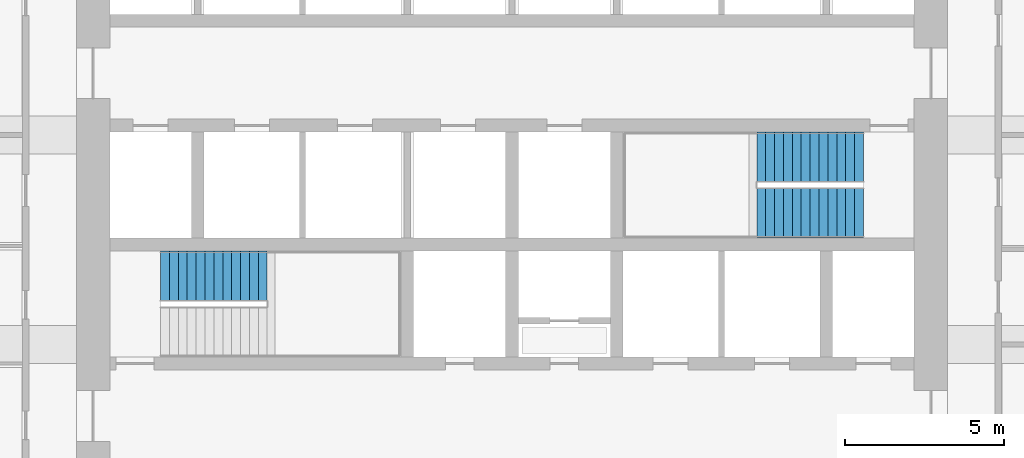
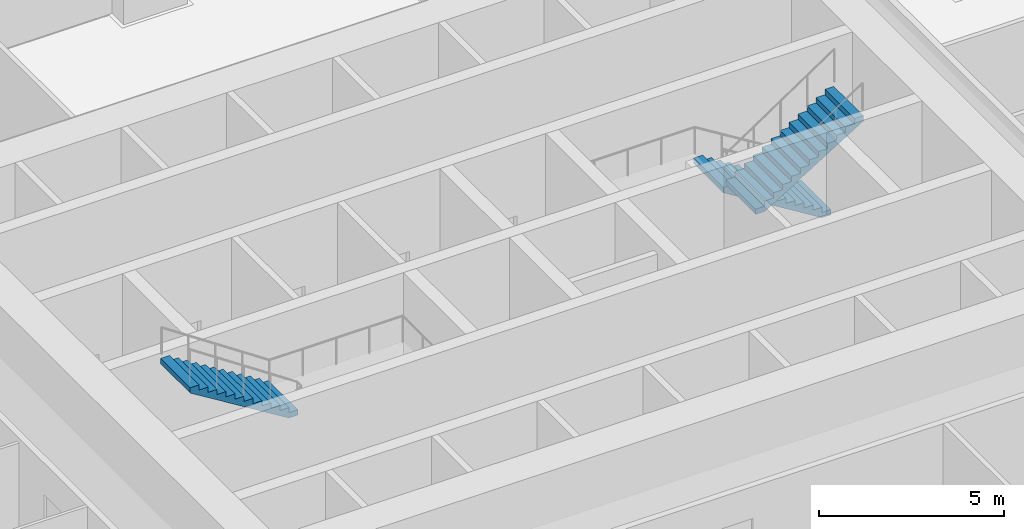
# One storey, part 14 of 17: 3 stair flights, 2 elements without a shape of their own.
"""IFC4 building model written with IfcOpenShell, lengths in metres."""

from ifc_helpers import new_model, si_unit, direction, frame, origin, place, context, subcontext, project, spatial, polyline, outline, extrude, material, type_object, element, aggregate, save


model = new_model("IFC4")

# Units and contexts
model_context = context("Model", 3, precision=1e-05, world=origin(), true_north=direction((0.0, 1.0)))
body_context = subcontext(model_context, "Body", "Model", "MODEL_VIEW")
ifc_project = project(units=[si_unit("LENGTHUNIT", "METRE"), si_unit("AREAUNIT", "SQUARE_METRE"), si_unit("VOLUMEUNIT", "CUBIC_METRE"), si_unit("PLANEANGLEUNIT", "RADIAN"), si_unit("MASSUNIT", "GRAM", prefix="KILO")], contexts=[model_context])

# Site, building, storey
site_placement = place(None, origin())
site = spatial("IfcSite", under=ifc_project, at=site_placement, CompositionType="ELEMENT")
building_placement = place(site_placement, origin())
building = spatial("IfcBuilding", under=site, at=building_placement, Name="Cobogo Forest Laboratory Tower", CompositionType="ELEMENT")
storey_placement = place(building_placement, frame((0.0, 0.0, 12.60009765625)))
storey = spatial("IfcBuildingStorey", under=building, at=storey_placement, Name="L02", CompositionType="ELEMENT", Elevation=12.60009765625)

# Stair, stair flight
ifc_material = material(Name="Precast concrete HA-40 (C40/50)", Category="concrete")
stair_type = type_object("IfcStairType", Name="ST26 exit stair 26 risers", PredefinedType="HALF_TURN_STAIR", material=ifc_material)
stair_1_placement = place(storey_placement, origin())
stair_1 = element("IfcStair", 1, at=stair_1_placement, inside=storey, type_object=stair_type, Name="Stair 1 L02 to L03", PredefinedType="HALF_TURN_STAIR")
stair_flight_type = type_object("IfcStairFlightType", Name="ST stair flight 280 going", PredefinedType="STRAIGHT", material=ifc_material)
stair_flight_1_placement = place(storey_placement, frame((18.68505859375, 21.949951171875, 2.25), z_axis=(0.0, 0.0, 1.0), x_axis=(-1.0, 0.0, 0.0)))
stair_flight_1 = element("IfcStairFlight", 2, at=stair_flight_1_placement, type_object=stair_flight_type, Name="ST1 flight 2", NumberOfRisers=13, NumberOfTreads=12, PredefinedType="STRAIGHT", RiserHeight=0.173076923, TreadLength=0.28, context=body_context, shape_type="SweptSolid", body=[
    extrude(outline(polyline([(0.0, 0.0), (0.0, 0.173095703125), (0.280029296875, 0.173095703125), (0.280029296875, 0.34619140625), (0.56005859375, 0.34619140625), (0.56005859375, 0.519287109375), (0.840087890625, 0.519287109375), (0.840087890625, 0.6923828125), (1.1201171875, 0.6923828125), (1.1201171875, 0.865478515625), (1.39990234375, 0.865478515625), (1.39990234375, 1.03857421875), (1.679931640625, 1.03857421875), (1.679931640625, 1.21142578125), (1.9599609375, 1.21142578125), (1.9599609375, 1.384521484375), (2.239990234375, 1.384521484375), (2.239990234375, 1.5576171875), (2.52001953125, 1.5576171875), (2.52001953125, 1.730712890625), (2.800048828125, 1.730712890625), (2.800048828125, 1.90380859375), (3.080078125, 1.90380859375), (3.080078125, 2.076904296875), (3.360107421875, 2.076904296875), (3.360107421875, 2.25), (3.360107421875, 1.900634765625), (0.28515625, 0.0), (0.0, 0.0)])), frame((0.0, 0.800048828125, 0.0), z_axis=(0.0, -1.0, 0.0), x_axis=(1.0, 0.0, 0.0)), (0.0, 0.0, 1.0), 1.60009765625),
])
aggregate(stair_1, [stair_flight_1])

# Stair, stair flights
stair_2_placement = place(storey_placement, origin())
stair_2 = element("IfcStair", 3, at=stair_2_placement, inside=storey, type_object=stair_type, Name="Stair 2 L02 to L03", PredefinedType="HALF_TURN_STAIR")
stair_flight_2_placement = place(storey_placement, frame((37.47509765625, 25.699951171875, 0.0), z_axis=(0.0, 0.0, 1.0), x_axis=(-1.0, 0.0, 0.0)))
stair_flight_2 = element("IfcStairFlight", 4, at=stair_flight_2_placement, type_object=stair_flight_type, Name="ST2 flight 1", NumberOfRisers=13, NumberOfTreads=12, PredefinedType="STRAIGHT", RiserHeight=0.173076923, TreadLength=0.28, context=body_context, shape_type="SweptSolid", body=[
    extrude(outline(polyline([(0.0, 0.0), (0.0, 0.173095703125), (0.280029296875, 0.173095703125), (0.280029296875, 0.34619140625), (0.56005859375, 0.34619140625), (0.56005859375, 0.519287109375), (0.840087890625, 0.519287109375), (0.840087890625, 0.6923828125), (1.1201171875, 0.6923828125), (1.1201171875, 0.865478515625), (1.39990234375, 0.865478515625), (1.39990234375, 1.03857421875), (1.679931640625, 1.03857421875), (1.679931640625, 1.21142578125), (1.9599609375, 1.21142578125), (1.9599609375, 1.384521484375), (2.239990234375, 1.384521484375), (2.239990234375, 1.5576171875), (2.52001953125, 1.5576171875), (2.52001953125, 1.730712890625), (2.800048828125, 1.730712890625), (2.800048828125, 1.90380859375), (3.080078125, 1.90380859375), (3.080078125, 2.076904296875), (3.360107421875, 2.076904296875), (3.360107421875, 2.25), (3.360107421875, 1.900634765625), (0.28515625, 0.0), (0.0, 0.0)])), frame((0.0, 0.800048828125, 0.0), z_axis=(0.0, -1.0, 0.0), x_axis=(1.0, 0.0, 0.0)), (0.0, 0.0, 1.0), 1.60009765625),
])
stair_flight_3_placement = place(storey_placement, frame((34.114990234375, 23.949951171875, 2.25), z_axis=(0.0, 0.0, 1.0), x_axis=(1.0, 0.0, 0.0)))
stair_flight_3 = element("IfcStairFlight", 5, at=stair_flight_3_placement, type_object=stair_flight_type, Name="ST2 flight 2", NumberOfRisers=13, NumberOfTreads=12, PredefinedType="STRAIGHT", RiserHeight=0.173076923, TreadLength=0.28, context=body_context, shape_type="SweptSolid", body=[
    extrude(outline(polyline([(0.0, 0.0), (0.0, 0.173095703125), (0.280029296875, 0.173095703125), (0.280029296875, 0.34619140625), (0.56005859375, 0.34619140625), (0.56005859375, 0.519287109375), (0.840087890625, 0.519287109375), (0.840087890625, 0.6923828125), (1.1201171875, 0.6923828125), (1.1201171875, 0.865478515625), (1.39990234375, 0.865478515625), (1.39990234375, 1.03857421875), (1.679931640625, 1.03857421875), (1.679931640625, 1.21142578125), (1.9599609375, 1.21142578125), (1.9599609375, 1.384521484375), (2.239990234375, 1.384521484375), (2.239990234375, 1.5576171875), (2.52001953125, 1.5576171875), (2.52001953125, 1.730712890625), (2.800048828125, 1.730712890625), (2.800048828125, 1.90380859375), (3.080078125, 1.90380859375), (3.080078125, 2.076904296875), (3.360107421875, 2.076904296875), (3.360107421875, 2.25), (3.360107421875, 1.900634765625), (0.28515625, 0.0), (0.0, 0.0)])), frame((0.0, 0.800048828125, 0.0), z_axis=(0.0, -1.0, 0.0), x_axis=(1.0, 0.0, 0.0)), (0.0, 0.0, 1.0), 1.60009765625),
])
aggregate(stair_2, [stair_flight_2, stair_flight_3])

save(model, "model.ifc")
